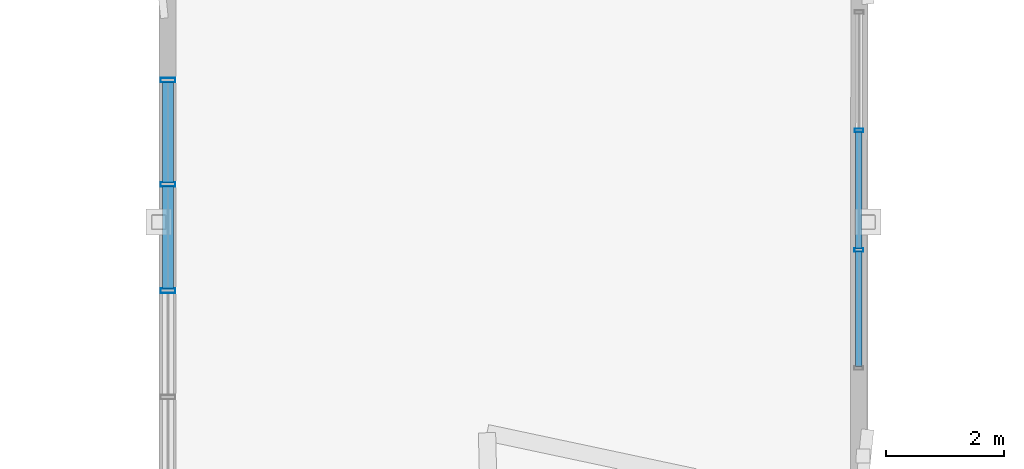
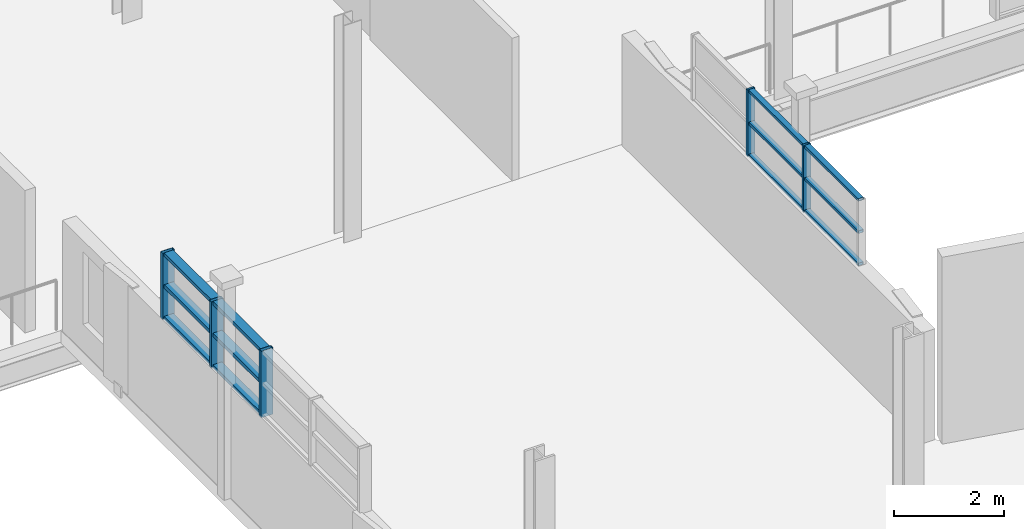
# One storey, part 45 of 118: 17 members, 2 elements without a shape of their own.
"""IFC4 building model written with IfcOpenShell, lengths in metres."""

from ifc_helpers import new_model, si_unit, direction, frame, origin, origin_2d, place, context, subcontext, project, spatial, hollow_rectangle, extrude, material, layer, layer_set, material_profile, profile_set, type_object, element, aggregate, save


model = new_model("IFC4")

# Units and contexts
model_context = context("Model", 3, precision=1e-05, world=origin(), true_north=direction((0.0, 1.0)))
body_context = subcontext(model_context, "Body", "Model", "MODEL_VIEW")
ifc_project = project(units=[si_unit("LENGTHUNIT", "METRE"), si_unit("AREAUNIT", "SQUARE_METRE"), si_unit("VOLUMEUNIT", "CUBIC_METRE"), si_unit("PLANEANGLEUNIT", "RADIAN"), si_unit("MASSUNIT", "GRAM", prefix="KILO"), si_unit("THERMODYNAMICTEMPERATUREUNIT", "KELVIN"), si_unit("POWERUNIT", "WATT")], contexts=[model_context])

# Site, building, storey
site_placement = place(None, origin())
site = spatial("IfcSite", under=ifc_project, at=site_placement, CompositionType="ELEMENT")
building_placement = place(site_placement, origin())
building = spatial("IfcBuilding", under=site, at=building_placement, Name="Zelmaris Science Centre", CompositionType="ELEMENT")
storey_placement = place(building_placement, frame((0.0, 0.0, 15.60009765625)))
storey = spatial("IfcBuildingStorey", under=building, at=storey_placement, Name="L03", CompositionType="ELEMENT", Elevation=15.60009765625)

# Curtain wall, members
ifc_material = material(Name="Anodised architectural aluminium 6063-T6", Category="aluminium")
ifc_layer_1 = layer(ifc_material, 0.219970703125, Name="Anodised architectural aluminium 6063-T6")
ifc_layer_set_1 = layer_set([ifc_layer_1], Name="Anodised architectural aluminium 6063-T6")
curtain_wall_type_1 = type_object("IfcCurtainWallType", Name="Curtain Wall CW-04", PredefinedType="USERDEFINED", material=ifc_layer_set_1)
curtain_wall_1_placement = place(storey_placement, origin())
curtain_wall_1 = element("IfcCurtainWall", 1, at=curtain_wall_1_placement, inside=storey, type_object=curtain_wall_type_1, Name="L03 Clerestory curtain wall 336", ObjectType="GLAZED CURTAIN WALL", PredefinedType="USERDEFINED")
ifc_material_profile_1 = material_profile(ifc_material, hollow_rectangle(XDim=0.06005859375, YDim=0.14990234375, WallThickness=0.00341796875, at=origin_2d()), Name="ALU-MUL-60X150")
ifc_profile_set_1 = profile_set([ifc_material_profile_1], Name="Anodised architectural aluminium 6063-T6")
member_type_1 = type_object("IfcMemberType", Name="ALU-MUL-60X150", PredefinedType="MULLION", material=ifc_profile_set_1)
member_1_placement = place(storey_placement, frame((86.8486328125, 59.553466796875, 2.419921875), z_axis=(0.0, 0.0, 1.0), x_axis=(-0.001148426395, -0.999999340558, 0.0)))
member_1 = element("IfcMember", 2, at=member_1_placement, type_object=member_type_1, Name="CW-04 mullion 2", PredefinedType="MULLION", context=body_context, shape_type="SweptSolid", body=[
    extrude(hollow_rectangle(XDim=0.06005859375, YDim=0.14990234375, WallThickness=0.00341796875, at=origin_2d()), origin(), (0.0, 0.0, 1.0), 1.47705078125),
])
member_2_placement = place(storey_placement, frame((86.84619140625, 57.528564453125, 2.419921875), z_axis=(0.0, 0.0, 1.0), x_axis=(-0.001148426395, -0.999999340558, 0.0)))
member_2 = element("IfcMember", 3, at=member_2_placement, type_object=member_type_1, Name="CW-04 mullion 3", PredefinedType="MULLION", context=body_context, shape_type="SweptSolid", body=[
    extrude(hollow_rectangle(XDim=0.06005859375, YDim=0.14990234375, WallThickness=0.00341796875, at=origin_2d()), origin(), (0.0, 0.0, 1.0), 1.47705078125),
])

ifc_layer_2 = layer(ifc_material, 0.18994140625, Name="Anodised architectural aluminium 6063-T6")
ifc_layer_set_2 = layer_set([ifc_layer_2], Name="Anodised architectural aluminium 6063-T6")
curtain_wall_type_2 = type_object("IfcCurtainWallType", Name="Curtain Wall CW-01", PredefinedType="USERDEFINED", material=ifc_layer_set_2)
curtain_wall_2_placement = place(storey_placement, origin())
curtain_wall_2 = element("IfcCurtainWall", 4, at=curtain_wall_2_placement, inside=storey, type_object=curtain_wall_type_2, Name="L03 Clerestory curtain wall 317", ObjectType="GLAZED CURTAIN WALL", PredefinedType="USERDEFINED")
ifc_material_profile_2 = material_profile(ifc_material, hollow_rectangle(XDim=0.080078125, YDim=0.25, WallThickness=0.0048828125, at=origin_2d()), Name="ALU-MUL-80X250")
ifc_profile_set_2 = profile_set([ifc_material_profile_2], Name="Anodised architectural aluminium 6063-T6")
member_type_2 = type_object("IfcMemberType", Name="ALU-MUL-80X250", PredefinedType="MULLION", material=ifc_profile_set_2)
member_3_placement = place(storey_placement, frame((75.1552734375, 56.839111328125, 2.419921875), z_axis=(0.0, 0.0, 1.0), x_axis=(8.726646e-06, 0.999999999962, 0.0)))
member_3 = element("IfcMember", 5, at=member_3_placement, type_object=member_type_2, Name="CW-01 mullion 3", PredefinedType="MULLION", context=body_context, shape_type="SweptSolid", body=[
    extrude(hollow_rectangle(XDim=0.080078125, YDim=0.25, WallThickness=0.0048828125, at=origin_2d()), origin(), (0.0, 0.0, 1.0), 1.470947265625),
])
member_4_placement = place(storey_placement, frame((75.1552734375, 58.63916015625, 2.419921875), z_axis=(0.0, 0.0, 1.0), x_axis=(8.726646e-06, 0.999999999962, 0.0)))
member_4 = element("IfcMember", 6, at=member_4_placement, type_object=member_type_2, Name="CW-01 mullion 4", PredefinedType="MULLION", context=body_context, shape_type="SweptSolid", body=[
    extrude(hollow_rectangle(XDim=0.080078125, YDim=0.25, WallThickness=0.0048828125, at=origin_2d()), origin(), (0.0, 0.0, 1.0), 1.470947265625),
])
member_5_placement = place(storey_placement, frame((75.1552734375, 60.403076171875, 2.419921875), z_axis=(0.0, 0.0, 1.0), x_axis=(8.726646e-06, 0.999999999962, 0.0)))
member_5 = element("IfcMember", 7, at=member_5_placement, type_object=member_type_2, Name="CW-01 mullion 5", PredefinedType="MULLION", context=body_context, shape_type="SweptSolid", body=[
    extrude(hollow_rectangle(XDim=0.080078125, YDim=0.25, WallThickness=0.0048828125, at=origin_2d()), origin(), (0.0, 0.0, 1.0), 1.470947265625),
])

# Member
ifc_material_profile_3 = material_profile(ifc_material, hollow_rectangle(XDim=0.06005859375, YDim=0.110107421875, WallThickness=0.0029296875, at=origin_2d()), Name="ALU-TRN-60X110")
ifc_profile_set_3 = profile_set([ifc_material_profile_3], Name="Anodised architectural aluminium 6063-T6")
member_type_3 = type_object("IfcMemberType", Name="ALU-TRN-60X110", PredefinedType="USERDEFINED", material=ifc_profile_set_3)
member_6_placement = place(storey_placement, frame((86.848388671875, 59.52734375, 2.44580078125), z_axis=(-0.001113722858, -0.999999379811, 0.0), x_axis=(0.0, 0.0, 1.0)))
member_6 = element("IfcMember", 8, at=member_6_placement, type_object=member_type_3, Name="CW-04 transom 2.1", ObjectType="TRANSOM", PredefinedType="USERDEFINED", context=body_context, shape_type="SweptSolid", body=[
    extrude(hollow_rectangle(XDim=0.06005859375, YDim=0.110107421875, WallThickness=0.0029296875, at=origin_2d()), origin(), (0.0, 0.0, 1.0), 1.972900390625),
])

member_7_placement = place(storey_placement, frame((86.848388671875, 59.52734375, 3.158447265625), z_axis=(-0.001113722858, -0.999999379811, 0.0), x_axis=(0.0, 0.0, 1.0)))
member_7 = element("IfcMember", 9, at=member_7_placement, type_object=member_type_3, Name="CW-04 transom 2.2", ObjectType="TRANSOM", PredefinedType="USERDEFINED", context=body_context, shape_type="SweptSolid", body=[
    extrude(hollow_rectangle(XDim=0.06005859375, YDim=0.110107421875, WallThickness=0.0029296875, at=origin_2d()), origin(), (0.0, 0.0, 1.0), 1.972900390625),
])

member_8_placement = place(storey_placement, frame((86.848388671875, 59.52734375, 3.870849609375), z_axis=(-0.001113722858, -0.999999379811, 0.0), x_axis=(0.0, 0.0, 1.0)))
member_8 = element("IfcMember", 10, at=member_8_placement, type_object=member_type_3, Name="CW-04 transom 2.3", ObjectType="TRANSOM", PredefinedType="USERDEFINED", context=body_context, shape_type="SweptSolid", body=[
    extrude(hollow_rectangle(XDim=0.06005859375, YDim=0.110107421875, WallThickness=0.0029296875, at=origin_2d()), origin(), (0.0, 0.0, 1.0), 1.972900390625),
])

member_9_placement = place(storey_placement, frame((86.84619140625, 57.50244140625, 2.44580078125), z_axis=(-0.001128667453, -0.999999363055, 0.0), x_axis=(0.0, 0.0, 1.0)))
member_9 = element("IfcMember", 11, at=member_9_placement, type_object=member_type_3, Name="CW-04 transom 3.1", ObjectType="TRANSOM", PredefinedType="USERDEFINED", context=body_context, shape_type="SweptSolid", body=[
    extrude(hollow_rectangle(XDim=0.06005859375, YDim=0.110107421875, WallThickness=0.0029296875, at=origin_2d()), origin(), (0.0, 0.0, 1.0), 1.94677734375),
])

member_10_placement = place(storey_placement, frame((86.84619140625, 57.50244140625, 3.158447265625), z_axis=(-0.001128667453, -0.999999363055, 0.0), x_axis=(0.0, 0.0, 1.0)))
member_10 = element("IfcMember", 12, at=member_10_placement, type_object=member_type_3, Name="CW-04 transom 3.2", ObjectType="TRANSOM", PredefinedType="USERDEFINED", context=body_context, shape_type="SweptSolid", body=[
    extrude(hollow_rectangle(XDim=0.06005859375, YDim=0.110107421875, WallThickness=0.0029296875, at=origin_2d()), origin(), (0.0, 0.0, 1.0), 1.94677734375),
])

member_11_placement = place(storey_placement, frame((86.84619140625, 57.50244140625, 3.870849609375), z_axis=(-0.001128667453, -0.999999363055, 0.0), x_axis=(0.0, 0.0, 1.0)))
member_11 = element("IfcMember", 13, at=member_11_placement, type_object=member_type_3, Name="CW-04 transom 3.3", ObjectType="TRANSOM", PredefinedType="USERDEFINED", context=body_context, shape_type="SweptSolid", body=[
    extrude(hollow_rectangle(XDim=0.06005859375, YDim=0.110107421875, WallThickness=0.0029296875, at=origin_2d()), origin(), (0.0, 0.0, 1.0), 1.94677734375),
])

aggregate(curtain_wall_1, [member_1, member_2, member_6, member_7, member_8, member_9, member_10, member_11])

ifc_material_profile_4 = material_profile(ifc_material, hollow_rectangle(XDim=0.080078125, YDim=0.18994140625, WallThickness=0.00439453125, at=origin_2d()), Name="ALU-TRN-80X190")
ifc_profile_set_4 = profile_set([ifc_material_profile_4], Name="Anodised architectural aluminium 6063-T6")
member_type_4 = type_object("IfcMemberType", Name="ALU-TRN-80X190", PredefinedType="USERDEFINED", material=ifc_profile_set_4)
member_12_placement = place(storey_placement, frame((75.1552734375, 56.875, 2.455810546875), z_axis=(0.0, 1.0, 0.0), x_axis=(0.0, 0.0, 1.0)))
member_12 = element("IfcMember", 14, at=member_12_placement, type_object=member_type_4, Name="CW-01 transom 3.1", ObjectType="TRANSOM", PredefinedType="USERDEFINED", context=body_context, shape_type="SweptSolid", body=[
    extrude(hollow_rectangle(XDim=0.080078125, YDim=0.18994140625, WallThickness=0.00439453125, at=origin_2d()), origin(), (0.0, 0.0, 1.0), 1.72802734375),
])

member_13_placement = place(storey_placement, frame((75.1552734375, 56.875, 3.155517578125), z_axis=(0.0, 1.0, 0.0), x_axis=(0.0, 0.0, 1.0)))
member_13 = element("IfcMember", 15, at=member_13_placement, type_object=member_type_4, Name="CW-01 transom 3.2", ObjectType="TRANSOM", PredefinedType="USERDEFINED", context=body_context, shape_type="SweptSolid", body=[
    extrude(hollow_rectangle(XDim=0.080078125, YDim=0.18994140625, WallThickness=0.00439453125, at=origin_2d()), origin(), (0.0, 0.0, 1.0), 1.72802734375),
])

member_14_placement = place(storey_placement, frame((75.1552734375, 56.875, 3.85498046875), z_axis=(0.0, 1.0, 0.0), x_axis=(0.0, 0.0, 1.0)))
member_14 = element("IfcMember", 16, at=member_14_placement, type_object=member_type_4, Name="CW-01 transom 3.3", ObjectType="TRANSOM", PredefinedType="USERDEFINED", context=body_context, shape_type="SweptSolid", body=[
    extrude(hollow_rectangle(XDim=0.080078125, YDim=0.18994140625, WallThickness=0.00439453125, at=origin_2d()), origin(), (0.0, 0.0, 1.0), 1.72802734375),
])

member_15_placement = place(storey_placement, frame((75.1552734375, 58.675048828125, 2.455810546875), z_axis=(0.0, 1.0, 0.0), x_axis=(0.0, 0.0, 1.0)))
member_15 = element("IfcMember", 17, at=member_15_placement, type_object=member_type_4, Name="CW-01 transom 4.1", ObjectType="TRANSOM", PredefinedType="USERDEFINED", context=body_context, shape_type="SweptSolid", body=[
    extrude(hollow_rectangle(XDim=0.080078125, YDim=0.18994140625, WallThickness=0.00439453125, at=origin_2d()), origin(), (0.0, 0.0, 1.0), 1.692138671875),
])

member_16_placement = place(storey_placement, frame((75.1552734375, 58.675048828125, 3.155517578125), z_axis=(0.0, 1.0, 0.0), x_axis=(0.0, 0.0, 1.0)))
member_16 = element("IfcMember", 18, at=member_16_placement, type_object=member_type_4, Name="CW-01 transom 4.2", ObjectType="TRANSOM", PredefinedType="USERDEFINED", context=body_context, shape_type="SweptSolid", body=[
    extrude(hollow_rectangle(XDim=0.080078125, YDim=0.18994140625, WallThickness=0.00439453125, at=origin_2d()), origin(), (0.0, 0.0, 1.0), 1.692138671875),
])

member_17_placement = place(storey_placement, frame((75.1552734375, 58.675048828125, 3.85498046875), z_axis=(0.0, 1.0, 0.0), x_axis=(0.0, 0.0, 1.0)))
member_17 = element("IfcMember", 19, at=member_17_placement, type_object=member_type_4, Name="CW-01 transom 4.3", ObjectType="TRANSOM", PredefinedType="USERDEFINED", context=body_context, shape_type="SweptSolid", body=[
    extrude(hollow_rectangle(XDim=0.080078125, YDim=0.18994140625, WallThickness=0.00439453125, at=origin_2d()), origin(), (0.0, 0.0, 1.0), 1.692138671875),
])

aggregate(curtain_wall_2, [member_3, member_4, member_5, member_12, member_13, member_14, member_15, member_16, member_17])

save(model, "model.ifc")
